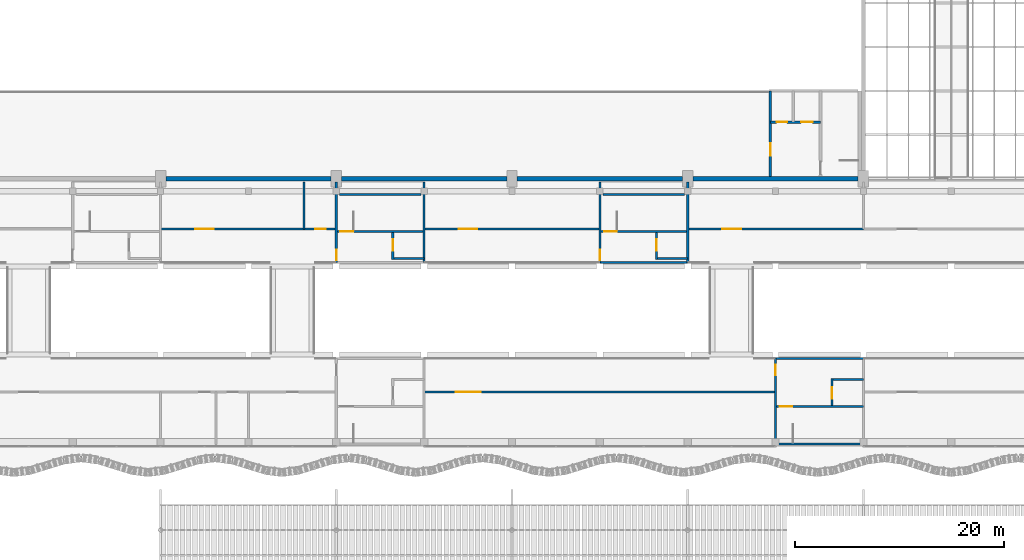
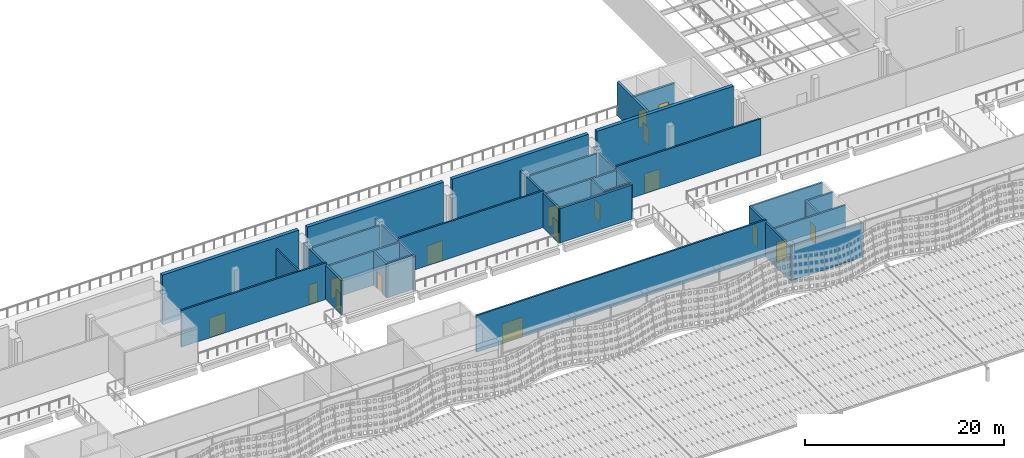
# One storey, part 83 of 162: 30 walls, 17 doors, 17 openings.
"""IFC4 building model written with IfcOpenShell, lengths in metres."""

from ifc_helpers import new_model, si_unit, direction, frame, frame_2d, origin, place, context, subcontext, project, spatial, rectangle, extrude, material, layer, layer_set, type_object, element, fill, save


model = new_model("IFC4")

# Units and contexts
model_context = context("Model", 3, precision=1e-05, world=origin(), true_north=direction((0.0, 1.0)))
body_context = subcontext(model_context, "Body", "Model", "MODEL_VIEW")
ifc_project = project(units=[si_unit("LENGTHUNIT", "METRE"), si_unit("AREAUNIT", "SQUARE_METRE"), si_unit("VOLUMEUNIT", "CUBIC_METRE"), si_unit("PLANEANGLEUNIT", "RADIAN"), si_unit("MASSUNIT", "GRAM", prefix="KILO")], contexts=[model_context])

# Site, building, storey
site_placement = place(None, origin())
site = spatial("IfcSite", under=ifc_project, at=site_placement, CompositionType="ELEMENT")
building_placement = place(site_placement, origin())
building = spatial("IfcBuilding", under=site, at=building_placement, Name="Rain Tree Exposition and Congress Centre", CompositionType="ELEMENT")
storey_placement = place(building_placement, frame((0.0, 0.0, 6.0)))
storey = spatial("IfcBuildingStorey", under=building, at=storey_placement, Name="L01", CompositionType="ELEMENT", Elevation=6.0)

# Wall, opening, door
ifc_material_1 = material(Name="Hollow blockwork partition", Category="masonry")
ifc_layer_1 = layer(ifc_material_1, 0.199951171875)
ifc_layer_set_1 = layer_set([ifc_layer_1], Name="Hollow blockwork partition")
wall_type_1 = type_object("IfcWallType", Name="Concourse blockwork partition 200", PredefinedType="PARTITIONING", material=ifc_layer_set_1)
wall_1_placement = place(storey_placement, frame((84.0, 80.39990234375, 0.0), z_axis=(0.0, 0.0, 1.0), x_axis=(1.0, 0.0, 0.0)))
wall_1 = element("IfcWall", 1, at=wall_1_placement, inside=storey, type_object=wall_type_1, Name="Concourse room front L01", PredefinedType="PARTITIONING", context=body_context, shape_type="SweptSolid", body=[
    extrude(rectangle(XDim=33.60009765625, YDim=0.199951171875, at=frame_2d((16.800048828125, 0.0))), origin(), (0.0, 0.0, 1.0), 4.5),
])
opening_1_placement = place(wall_1_placement, frame((3.0, 0.0, 0.0)))
opening_1 = element("IfcOpeningElement", 2, at=opening_1_placement, cuts=wall_1, Name="Opening DC050", PredefinedType="OPENING", context=body_context, shape_type="SweptSolid", body=[
    extrude(rectangle(XDim=2.39990234375, YDim=2.39990234375, at=frame_2d((1.199951171875, 1.199951171875))), frame((0.0, 0.10009765625, 0.0), z_axis=(0.0, -1.0, 0.0), x_axis=(1.0, 0.0, 0.0)), (0.0, 0.0, 1.0), 0.199951171875),
])
ifc_material_2 = material(Name="Aluminium framed glazed door", Category="aluminium")
door_type_1 = type_object("IfcDoorType", Name="Concourse double door 2400x2400", OperationType="DOUBLE_DOOR_DOUBLE_SWING", PredefinedType="DOOR", material=ifc_material_2)
door_1_placement = place(opening_1_placement, origin())
door_1 = element("IfcDoor", 3, at=door_1_placement, inside=storey, type_object=door_type_1, Name="Room door DC050", OperationType="DOUBLE_DOOR_DOUBLE_SWING", OverallHeight=2.39990234375, OverallWidth=2.39990234375, PredefinedType="DOOR", context=body_context, shape_type="SweptSolid", body=[
    extrude(rectangle(XDim=2.39990234375, YDim=2.39990234375, at=frame_2d((1.199951171875, 1.199951171875))), frame((0.0, 0.02490234375, 0.0), z_axis=(0.0, -1.0, 0.0), x_axis=(1.0, 0.0, 0.0)), (0.0, 0.0, 1.0), 0.050048828125),
])
fill(opening_1, door_1)

# Wall, openings, doors
wall_2_placement = place(storey_placement, frame((58.800048828125, 96.0, 0.0), z_axis=(0.0, 0.0, 1.0), x_axis=(1.0, 0.0, 0.0)))
wall_2 = element("IfcWall", 4, at=wall_2_placement, inside=storey, type_object=wall_type_1, Name="Concourse room front L01", PredefinedType="PARTITIONING", context=body_context, shape_type="SweptSolid", body=[
    extrude(rectangle(XDim=16.800048828125, YDim=0.199951171875, at=frame_2d((8.39990234375, 0.0))), origin(), (0.0, 0.0, 1.0), 4.5),
])
opening_2_placement = place(wall_2_placement, frame((3.300048828125, 0.0, 0.0)))
opening_2 = element("IfcOpeningElement", 5, at=opening_2_placement, cuts=wall_2, Name="Opening DC083", PredefinedType="OPENING", context=body_context, shape_type="SweptSolid", body=[
    extrude(rectangle(XDim=1.800048828125, YDim=2.39990234375, at=frame_2d((0.89990234375, 1.199951171875))), frame((0.0, 0.10009765625, 0.0), z_axis=(0.0, -1.0, 0.0), x_axis=(1.0, 0.0, 0.0)), (0.0, 0.0, 1.0), 0.199951171875),
])
opening_3_placement = place(wall_2_placement, frame((14.800048828125, 0.0, 0.0)))
opening_3 = element("IfcOpeningElement", 6, at=opening_3_placement, cuts=wall_2, Name="Opening DC084", PredefinedType="OPENING", context=body_context, shape_type="SweptSolid", body=[
    extrude(rectangle(XDim=1.0, YDim=2.39990234375, at=frame_2d((0.5, 1.199951171875))), frame((0.0, 0.10009765625, 0.0), z_axis=(0.0, -1.0, 0.0), x_axis=(1.0, 0.0, 0.0)), (0.0, 0.0, 1.0), 0.199951171875),
])
ifc_material_3 = material(Name="Aluminium framed glazed door", Category="aluminium")
door_type_2 = type_object("IfcDoorType", Name="Concourse double door 1800x2400", OperationType="DOUBLE_DOOR_DOUBLE_SWING", PredefinedType="DOOR", material=ifc_material_3)
door_2_placement = place(opening_2_placement, origin())
door_2 = element("IfcDoor", 7, at=door_2_placement, inside=storey, type_object=door_type_2, Name="Room door DC083", OperationType="DOUBLE_DOOR_DOUBLE_SWING", OverallHeight=2.39990234375, OverallWidth=1.800048828125, PredefinedType="DOOR", context=body_context, shape_type="SweptSolid", body=[
    extrude(rectangle(XDim=1.800048828125, YDim=2.39990234375, at=frame_2d((0.89990234375, 1.199951171875))), frame((0.0, 0.02490234375, 0.0), z_axis=(0.0, -1.0, 0.0), x_axis=(1.0, 0.0, 0.0)), (0.0, 0.0, 1.0), 0.050048828125),
])
fill(opening_2, door_2)
ifc_material_4 = material(Name="Aluminium framed glazed door", Category="aluminium")
door_type_3 = type_object("IfcDoorType", Name="Concourse single door 1000x2400", OperationType="NOTDEFINED", PredefinedType="DOOR", material=ifc_material_4)
door_3_placement = place(opening_3_placement, origin())
door_3 = element("IfcDoor", 8, at=door_3_placement, inside=storey, type_object=door_type_3, Name="Accessible WC door DC084", OperationType="SINGLE_SWING_RIGHT", OverallHeight=2.39990234375, OverallWidth=1.0, PredefinedType="DOOR", context=body_context, shape_type="SweptSolid", body=[
    extrude(rectangle(XDim=1.0, YDim=2.39990234375, at=frame_2d((0.5, 1.199951171875))), frame((0.0, 0.02490234375, 0.0), z_axis=(0.0, -1.0, 0.0), x_axis=(1.0, 0.0, 0.0)), (0.0, 0.0, 1.0), 0.050048828125),
])
fill(opening_3, door_3)

# Wall
wall_3_placement = place(storey_placement, frame((72.5, 100.5, 0.0), z_axis=(0.0, 0.0, 1.0), x_axis=(0.0, -1.0, 0.0)))
element("IfcWall", 9, at=wall_3_placement, inside=storey, type_object=wall_type_1, Name="Accessible WC partition", PredefinedType="PARTITIONING", context=body_context, shape_type="SweptSolid", body=[
    extrude(rectangle(XDim=4.5, YDim=0.199951171875, at=frame_2d((2.25, 0.0))), origin(), (0.0, 0.0, 1.0), 4.5),
])

# Wall, opening, door
wall_4_placement = place(storey_placement, frame((84.0, 96.0, 0.0), z_axis=(0.0, 0.0, 1.0), x_axis=(1.0, 0.0, 0.0)))
wall_4 = element("IfcWall", 10, at=wall_4_placement, inside=storey, type_object=wall_type_1, Name="Concourse room front L01", PredefinedType="PARTITIONING", context=body_context, shape_type="SweptSolid", body=[
    extrude(rectangle(XDim=16.800048828125, YDim=0.199951171875, at=frame_2d((8.39990234375, 0.0))), origin(), (0.0, 0.0, 1.0), 4.5),
])
opening_4_placement = place(wall_4_placement, frame((3.300048828125, 0.0, 0.0)))
opening_4 = element("IfcOpeningElement", 11, at=opening_4_placement, cuts=wall_4, Name="Opening DC085", PredefinedType="OPENING", context=body_context, shape_type="SweptSolid", body=[
    extrude(rectangle(XDim=1.800048828125, YDim=2.39990234375, at=frame_2d((0.89990234375, 1.199951171875))), frame((0.0, 0.10009765625, 0.0), z_axis=(0.0, -1.0, 0.0), x_axis=(1.0, 0.0, 0.0)), (0.0, 0.0, 1.0), 0.199951171875),
])
door_4_placement = place(opening_4_placement, origin())
door_4 = element("IfcDoor", 12, at=door_4_placement, inside=storey, type_object=door_type_2, Name="Room door DC085", OperationType="DOUBLE_DOOR_DOUBLE_SWING", OverallHeight=2.39990234375, OverallWidth=1.800048828125, PredefinedType="DOOR", context=body_context, shape_type="SweptSolid", body=[
    extrude(rectangle(XDim=1.800048828125, YDim=2.39990234375, at=frame_2d((0.89990234375, 1.199951171875))), frame((0.0, 0.02490234375, 0.0), z_axis=(0.0, -1.0, 0.0), x_axis=(1.0, 0.0, 0.0)), (0.0, 0.0, 1.0), 0.050048828125),
])
fill(opening_4, door_4)

wall_5_placement = place(storey_placement, frame((109.199951171875, 96.0, 0.0), z_axis=(0.0, 0.0, 1.0), x_axis=(1.0, 0.0, 0.0)))
wall_5 = element("IfcWall", 13, at=wall_5_placement, inside=storey, type_object=wall_type_1, Name="Concourse room front L01", PredefinedType="PARTITIONING", context=body_context, shape_type="SweptSolid", body=[
    extrude(rectangle(XDim=16.800048828125, YDim=0.199951171875, at=frame_2d((8.39990234375, 0.0))), origin(), (0.0, 0.0, 1.0), 4.5),
])
opening_5_placement = place(wall_5_placement, frame((3.300048828125, 0.0, 0.0)))
opening_5 = element("IfcOpeningElement", 14, at=opening_5_placement, cuts=wall_5, Name="Opening DC086", PredefinedType="OPENING", context=body_context, shape_type="SweptSolid", body=[
    extrude(rectangle(XDim=1.800048828125, YDim=2.39990234375, at=frame_2d((0.89990234375, 1.199951171875))), frame((0.0, 0.10009765625, 0.0), z_axis=(0.0, -1.0, 0.0), x_axis=(1.0, 0.0, 0.0)), (0.0, 0.0, 1.0), 0.199951171875),
])
door_5_placement = place(opening_5_placement, origin())
door_5 = element("IfcDoor", 15, at=door_5_placement, inside=storey, type_object=door_type_2, Name="Room door DC086", OperationType="DOUBLE_DOOR_DOUBLE_SWING", OverallHeight=2.39990234375, OverallWidth=1.800048828125, PredefinedType="DOOR", context=body_context, shape_type="SweptSolid", body=[
    extrude(rectangle(XDim=1.800048828125, YDim=2.39990234375, at=frame_2d((0.89990234375, 1.199951171875))), frame((0.0, 0.02490234375, 0.0), z_axis=(0.0, -1.0, 0.0), x_axis=(1.0, 0.0, 0.0)), (0.0, 0.0, 1.0), 0.050048828125),
])
fill(opening_5, door_5)

ifc_material_5 = material(Name="Concrete C40/50", Category="concrete")
ifc_layer_2 = layer(ifc_material_5, 0.199951171875)
ifc_layer_set_2 = layer_set([ifc_layer_2], Name="Concrete C40/50")
wall_type_2 = type_object("IfcWallType", Name="Concourse shaft and core wall 200", PredefinedType="SOLIDWALL", material=ifc_layer_set_2)
wall_6_placement = place(storey_placement, frame((117.60009765625, 75.39990234375, 0.0), z_axis=(0.0, 0.0, 1.0), x_axis=(0.0, 1.0, 0.0)))
wall_6 = element("IfcWall", 16, at=wall_6_placement, inside=storey, type_object=wall_type_2, Name="Concourse core wall L01", PredefinedType="SOLIDWALL", context=body_context, shape_type="SweptSolid", body=[
    extrude(rectangle(XDim=8.2001953125, YDim=0.199951171875, at=frame_2d((4.10009765625, 0.0))), origin(), (0.0, 0.0, 1.0), 4.199951171875),
])
opening_6_placement = place(wall_6_placement, frame((6.60009765625, 0.0, 0.0)))
opening_6 = element("IfcOpeningElement", 17, at=opening_6_placement, cuts=wall_6, Name="Opening DC040", PredefinedType="OPENING", context=body_context, shape_type="SweptSolid", body=[
    extrude(rectangle(XDim=1.0, YDim=2.39990234375, at=frame_2d((0.5, 1.199951171875))), frame((0.0, 0.10009765625, 0.0), z_axis=(0.0, -1.0, 0.0), x_axis=(1.0, 0.0, 0.0)), (0.0, 0.0, 1.0), 0.199951171875),
])
door_6_placement = place(opening_6_placement, origin())
door_6 = element("IfcDoor", 18, at=door_6_placement, inside=storey, type_object=door_type_3, Name="Stair lobby door DC040", OperationType="SINGLE_SWING_RIGHT", OverallHeight=2.39990234375, OverallWidth=1.0, PredefinedType="DOOR", context=body_context, shape_type="SweptSolid", body=[
    extrude(rectangle(XDim=1.0, YDim=2.39990234375, at=frame_2d((0.5, 1.199951171875))), frame((0.0, 0.02490234375, 0.0), z_axis=(0.0, -1.0, 0.0), x_axis=(1.0, 0.0, 0.0)), (0.0, 0.0, 1.0), 0.050048828125),
])
fill(opening_6, door_6)

# Wall
wall_7_placement = place(storey_placement, frame((117.60009765625, 83.60009765625, 0.0), z_axis=(0.0, 0.0, 1.0), x_axis=(1.0, 0.0, 0.0)))
element("IfcWall", 19, at=wall_7_placement, inside=storey, type_object=wall_type_2, Name="Concourse lobby front L01", PredefinedType="SOLIDWALL", context=body_context, shape_type="SweptSolid", body=[
    extrude(rectangle(XDim=8.39990234375, YDim=0.199951171875, at=frame_2d((4.199951171875, 0.0))), origin(), (0.0, 0.0, 1.0), 4.199951171875),
])

# Wall, opening, door
wall_8_placement = place(storey_placement, frame((75.60009765625, 100.5, 0.0), z_axis=(0.0, 0.0, 1.0), x_axis=(0.0, -1.0, 0.0)))
wall_8 = element("IfcWall", 20, at=wall_8_placement, inside=storey, type_object=wall_type_2, Name="Concourse core wall L01", PredefinedType="SOLIDWALL", context=body_context, shape_type="SweptSolid", body=[
    extrude(rectangle(XDim=7.699951171875, YDim=0.199951171875, at=frame_2d((3.85009765625, 0.0))), origin(), (0.0, 0.0, 1.0), 4.199951171875),
])
opening_7_placement = place(wall_8_placement, frame((6.5, 0.0, 0.0)))
opening_7 = element("IfcOpeningElement", 21, at=opening_7_placement, cuts=wall_8, Name="Opening DC077", PredefinedType="OPENING", context=body_context, shape_type="SweptSolid", body=[
    extrude(rectangle(XDim=1.0, YDim=2.39990234375, at=frame_2d((0.5, 1.199951171875))), frame((0.0, 0.10009765625, 0.0), z_axis=(0.0, -1.0, 0.0), x_axis=(1.0, 0.0, 0.0)), (0.0, 0.0, 1.0), 0.199951171875),
])
door_7_placement = place(opening_7_placement, origin())
door_7 = element("IfcDoor", 22, at=door_7_placement, inside=storey, type_object=door_type_3, Name="Stair lobby door DC077", OperationType="SINGLE_SWING_RIGHT", OverallHeight=2.39990234375, OverallWidth=1.0, PredefinedType="DOOR", context=body_context, shape_type="SweptSolid", body=[
    extrude(rectangle(XDim=1.0, YDim=2.39990234375, at=frame_2d((0.5, 1.199951171875))), frame((0.0, 0.02490234375, 0.0), z_axis=(0.0, -1.0, 0.0), x_axis=(1.0, 0.0, 0.0)), (0.0, 0.0, 1.0), 0.050048828125),
])
fill(opening_7, door_7)

# Wall
wall_9_placement = place(storey_placement, frame((84.0, 100.5, 0.0), z_axis=(0.0, 0.0, 1.0), x_axis=(0.0, -1.0, 0.0)))
element("IfcWall", 23, at=wall_9_placement, inside=storey, type_object=wall_type_2, Name="Concourse core wall L01", PredefinedType="SOLIDWALL", context=body_context, shape_type="SweptSolid", body=[
    extrude(rectangle(XDim=7.699951171875, YDim=0.199951171875, at=frame_2d((3.85009765625, 0.0))), origin(), (0.0, 0.0, 1.0), 4.199951171875),
])

# Wall, opening, door
wall_10_placement = place(storey_placement, frame((100.800048828125, 100.5, 0.0), z_axis=(0.0, 0.0, 1.0), x_axis=(0.0, -1.0, 0.0)))
wall_10 = element("IfcWall", 24, at=wall_10_placement, inside=storey, type_object=wall_type_2, Name="Concourse core wall L01", PredefinedType="SOLIDWALL", context=body_context, shape_type="SweptSolid", body=[
    extrude(rectangle(XDim=7.699951171875, YDim=0.199951171875, at=frame_2d((3.85009765625, 0.0))), origin(), (0.0, 0.0, 1.0), 4.199951171875),
])
opening_8_placement = place(wall_10_placement, frame((6.5, 0.0, 0.0)))
opening_8 = element("IfcOpeningElement", 25, at=opening_8_placement, cuts=wall_10, Name="Opening DC078", PredefinedType="OPENING", context=body_context, shape_type="SweptSolid", body=[
    extrude(rectangle(XDim=1.0, YDim=2.39990234375, at=frame_2d((0.5, 1.199951171875))), frame((0.0, 0.10009765625, 0.0), z_axis=(0.0, -1.0, 0.0), x_axis=(1.0, 0.0, 0.0)), (0.0, 0.0, 1.0), 0.199951171875),
])
door_8_placement = place(opening_8_placement, origin())
door_8 = element("IfcDoor", 26, at=door_8_placement, inside=storey, type_object=door_type_3, Name="Stair lobby door DC078", OperationType="SINGLE_SWING_RIGHT", OverallHeight=2.39990234375, OverallWidth=1.0, PredefinedType="DOOR", context=body_context, shape_type="SweptSolid", body=[
    extrude(rectangle(XDim=1.0, YDim=2.39990234375, at=frame_2d((0.5, 1.199951171875))), frame((0.0, 0.02490234375, 0.0), z_axis=(0.0, -1.0, 0.0), x_axis=(1.0, 0.0, 0.0)), (0.0, 0.0, 1.0), 0.050048828125),
])
fill(opening_8, door_8)

# Walls
wall_11_placement = place(storey_placement, frame((109.199951171875, 100.5, 0.0), z_axis=(0.0, 0.0, 1.0), x_axis=(0.0, -1.0, 0.0)))
element("IfcWall", 27, at=wall_11_placement, inside=storey, type_object=wall_type_2, Name="Concourse core wall L01", PredefinedType="SOLIDWALL", context=body_context, shape_type="SweptSolid", body=[
    extrude(rectangle(XDim=7.699951171875, YDim=0.199951171875, at=frame_2d((3.85009765625, 0.0))), origin(), (0.0, 0.0, 1.0), 4.199951171875),
])
for number, where, z_axis, x_axis, name in (
    (28, (100.800048828125, 92.800048828125, 0.0), (0.0, 0.0, 1.0), (1.0, 0.0, 0.0), "Concourse lobby front L01"),
    (29, (117.60009765625, 75.449951171875, 0.0), (0.0, 0.0, 1.0), (1.0, 0.0, 0.0), "Concourse stair wall L01"),
):
    element("IfcWall", number, at=place(storey_placement, frame(where, z_axis=z_axis, x_axis=x_axis)), inside=storey, type_object=wall_type_2, Name=name, PredefinedType="SOLIDWALL", context=body_context, shape_type="SweptSolid", body=[
        extrude(rectangle(XDim=8.39990234375, YDim=0.199951171875, at=frame_2d((4.199951171875, 0.0))), origin(), (0.0, 0.0, 1.0), 4.199951171875),
    ])

# Wall, opening, door
wall_12_placement = place(storey_placement, frame((117.60009765625, 79.0, 0.0), z_axis=(0.0, 0.0, 1.0), x_axis=(1.0, 0.0, 0.0)))
wall_12 = element("IfcWall", 30, at=wall_12_placement, inside=storey, type_object=wall_type_2, Name="Concourse stair wall L01", PredefinedType="SOLIDWALL", context=body_context, shape_type="SweptSolid", body=[
    extrude(rectangle(XDim=8.39990234375, YDim=0.199951171875, at=frame_2d((4.199951171875, 0.0))), origin(), (0.0, 0.0, 1.0), 4.199951171875),
])
opening_9_placement = place(wall_12_placement, frame((0.39990234375, 0.0, 0.0)))
opening_9 = element("IfcOpeningElement", 31, at=opening_9_placement, cuts=wall_12, Name="Opening DC104", PredefinedType="OPENING", context=body_context, shape_type="SweptSolid", body=[
    extrude(rectangle(XDim=1.199951171875, YDim=2.39990234375, at=frame_2d((0.60009765625, 1.199951171875))), frame((0.0, 0.10009765625, 0.0), z_axis=(0.0, -1.0, 0.0), x_axis=(1.0, 0.0, 0.0)), (0.0, 0.0, 1.0), 0.199951171875),
])
ifc_material_6 = material(Name="Aluminium framed glazed door", Category="aluminium")
door_type_4 = type_object("IfcDoorType", Name="Concourse single door 1200x2400", OperationType="NOTDEFINED", PredefinedType="DOOR", material=ifc_material_6)
door_9_placement = place(opening_9_placement, origin())
door_9 = element("IfcDoor", 32, at=door_9_placement, inside=storey, type_object=door_type_4, Name="Stair door DC104", OperationType="SINGLE_SWING_LEFT", OverallHeight=2.39990234375, OverallWidth=1.199951171875, PredefinedType="DOOR", context=body_context, shape_type="SweptSolid", body=[
    extrude(rectangle(XDim=1.199951171875, YDim=2.39990234375, at=frame_2d((0.60009765625, 1.199951171875))), frame((0.0, 0.02490234375, 0.0), z_axis=(0.0, -1.0, 0.0), x_axis=(1.0, 0.0, 0.0)), (0.0, 0.0, 1.0), 0.050048828125),
])
fill(opening_9, door_9)

wall_13_placement = place(storey_placement, frame((123.0, 79.10009765625, 0.0), z_axis=(0.0, 0.0, 1.0), x_axis=(0.0, 1.0, 0.0)))
wall_13 = element("IfcWall", 33, at=wall_13_placement, inside=storey, type_object=wall_type_2, Name="Concourse lift shaft wall L01", PredefinedType="SOLIDWALL", context=body_context, shape_type="SweptSolid", body=[
    extrude(rectangle(XDim=2.599853515625, YDim=0.199951171875, at=frame_2d((1.2998046875, 0.0))), origin(), (0.0, 0.0, 1.0), 4.199951171875),
])
opening_10_placement = place(wall_13_placement, frame((0.64990234375, 0.0, 0.0)))
opening_10 = element("IfcOpeningElement", 34, at=opening_10_placement, cuts=wall_13, Name="Opening DC106", PredefinedType="OPENING", context=body_context, shape_type="SweptSolid", body=[
    extrude(rectangle(XDim=1.10009765625, YDim=2.10009765625, at=frame_2d((0.550048828125, 1.050048828125))), frame((0.0, 0.10009765625, 0.0), z_axis=(0.0, -1.0, 0.0), x_axis=(1.0, 0.0, 0.0)), (0.0, 0.0, 1.0), 0.199951171875),
])
ifc_material_7 = material(Name="Stainless steel", Category="steel")
door_type_5 = type_object("IfcDoorType", Name="Lift landing door 1100x2100", OperationType="DOUBLE_DOOR_SLIDING", PredefinedType="DOOR", material=ifc_material_7)
door_10_placement = place(opening_10_placement, origin())
door_10 = element("IfcDoor", 35, at=door_10_placement, inside=storey, type_object=door_type_5, Name="Lift landing door DC106", OperationType="DOUBLE_DOOR_SLIDING", OverallHeight=2.10009765625, OverallWidth=1.10009765625, PredefinedType="DOOR", context=body_context, shape_type="SweptSolid", body=[
    extrude(rectangle(XDim=1.10009765625, YDim=2.10009765625, at=frame_2d((0.550048828125, 1.050048828125))), frame((0.0, 0.02490234375, 0.0), z_axis=(0.0, -1.0, 0.0), x_axis=(1.0, 0.0, 0.0)), (0.0, 0.0, 1.0), 0.050048828125),
])
fill(opening_10, door_10)

# Walls
wall_14_placement = place(storey_placement, frame((122.89990234375, 81.60009765625, 0.0), z_axis=(0.0, 0.0, 1.0), x_axis=(1.0, 0.0, 0.0)))
element("IfcWall", 36, at=wall_14_placement, inside=storey, type_object=wall_type_2, Name="Concourse lift shaft wall L01", PredefinedType="SOLIDWALL", context=body_context, shape_type="SweptSolid", body=[
    extrude(rectangle(XDim=3.10009765625, YDim=0.199951171875, at=frame_2d((1.550048828125, 0.0))), origin(), (0.0, 0.0, 1.0), 4.199951171875),
])
wall_15_placement = place(storey_placement, frame((75.89990234375, 99.300048828125, 0.0), z_axis=(0.0, 0.0, 1.0), x_axis=(1.0, 0.0, 0.0)))
element("IfcWall", 37, at=wall_15_placement, inside=storey, type_object=wall_type_2, Name="Concourse stair wall L01", PredefinedType="SOLIDWALL", context=body_context, shape_type="SweptSolid", body=[
    extrude(rectangle(XDim=7.800048828125, YDim=0.199951171875, at=frame_2d((3.89990234375, 0.0))), origin(), (0.0, 0.0, 1.0), 4.199951171875),
])

# Wall, opening, door
wall_16_placement = place(storey_placement, frame((75.60009765625, 95.75, 0.0), z_axis=(0.0, 0.0, 1.0), x_axis=(1.0, 0.0, 0.0)))
wall_16 = element("IfcWall", 38, at=wall_16_placement, inside=storey, type_object=wall_type_2, Name="Concourse stair wall L01", PredefinedType="SOLIDWALL", context=body_context, shape_type="SweptSolid", body=[
    extrude(rectangle(XDim=8.39990234375, YDim=0.199951171875, at=frame_2d((4.199951171875, 0.0))), origin(), (0.0, 0.0, 1.0), 4.199951171875),
])
opening_11_placement = place(wall_16_placement, frame((0.39990234375, 0.0, 0.0)))
opening_11 = element("IfcOpeningElement", 39, at=opening_11_placement, cuts=wall_16, Name="Opening DC131", PredefinedType="OPENING", context=body_context, shape_type="SweptSolid", body=[
    extrude(rectangle(XDim=1.199951171875, YDim=2.39990234375, at=frame_2d((0.60009765625, 1.199951171875))), frame((0.0, 0.10009765625, 0.0), z_axis=(0.0, -1.0, 0.0), x_axis=(1.0, 0.0, 0.0)), (0.0, 0.0, 1.0), 0.199951171875),
])
door_11_placement = place(opening_11_placement, origin())
door_11 = element("IfcDoor", 40, at=door_11_placement, inside=storey, type_object=door_type_4, Name="Stair door DC131", OperationType="SINGLE_SWING_LEFT", OverallHeight=2.39990234375, OverallWidth=1.199951171875, PredefinedType="DOOR", context=body_context, shape_type="SweptSolid", body=[
    extrude(rectangle(XDim=1.199951171875, YDim=2.39990234375, at=frame_2d((0.60009765625, 1.199951171875))), frame((0.0, 0.02490234375, 0.0), z_axis=(0.0, -1.0, 0.0), x_axis=(1.0, 0.0, 0.0)), (0.0, 0.0, 1.0), 0.050048828125),
])
fill(opening_11, door_11)

wall_17_placement = place(storey_placement, frame((81.0, 93.050048828125, 0.0), z_axis=(0.0, 0.0, 1.0), x_axis=(0.0, 1.0, 0.0)))
wall_17 = element("IfcWall", 41, at=wall_17_placement, inside=storey, type_object=wall_type_2, Name="Concourse lift shaft wall L01", PredefinedType="SOLIDWALL", context=body_context, shape_type="SweptSolid", body=[
    extrude(rectangle(XDim=2.599853515625, YDim=0.199951171875, at=frame_2d((1.2998046875, 0.0))), origin(), (0.0, 0.0, 1.0), 4.199951171875),
])
opening_12_placement = place(wall_17_placement, frame((0.85009765625, 0.0, 0.0)))
opening_12 = element("IfcOpeningElement", 42, at=opening_12_placement, cuts=wall_17, Name="Opening DC133", PredefinedType="OPENING", context=body_context, shape_type="SweptSolid", body=[
    extrude(rectangle(XDim=1.10009765625, YDim=2.10009765625, at=frame_2d((0.550048828125, 1.050048828125))), frame((0.0, 0.10009765625, 0.0), z_axis=(0.0, -1.0, 0.0), x_axis=(1.0, 0.0, 0.0)), (0.0, 0.0, 1.0), 0.199951171875),
])
door_12_placement = place(opening_12_placement, origin())
door_12 = element("IfcDoor", 43, at=door_12_placement, inside=storey, type_object=door_type_5, Name="Lift landing door DC133", OperationType="DOUBLE_DOOR_SLIDING", OverallHeight=2.10009765625, OverallWidth=1.10009765625, PredefinedType="DOOR", context=body_context, shape_type="SweptSolid", body=[
    extrude(rectangle(XDim=1.10009765625, YDim=2.10009765625, at=frame_2d((0.550048828125, 1.050048828125))), frame((0.0, 0.02490234375, 0.0), z_axis=(0.0, -1.0, 0.0), x_axis=(1.0, 0.0, 0.0)), (0.0, 0.0, 1.0), 0.050048828125),
])
fill(opening_12, door_12)

# Walls
wall_18_placement = place(storey_placement, frame((80.89990234375, 93.14990234375, 0.0), z_axis=(0.0, 0.0, 1.0), x_axis=(1.0, 0.0, 0.0)))
element("IfcWall", 44, at=wall_18_placement, inside=storey, type_object=wall_type_2, Name="Concourse lift shaft wall L01", PredefinedType="SOLIDWALL", context=body_context, shape_type="SweptSolid", body=[
    extrude(rectangle(XDim=3.10009765625, YDim=0.199951171875, at=frame_2d((1.550048828125, 0.0))), origin(), (0.0, 0.0, 1.0), 4.199951171875),
])
wall_19_placement = place(storey_placement, frame((101.10009765625, 99.300048828125, 0.0), z_axis=(0.0, 0.0, 1.0), x_axis=(1.0, 0.0, 0.0)))
element("IfcWall", 45, at=wall_19_placement, inside=storey, type_object=wall_type_2, Name="Concourse stair wall L01", PredefinedType="SOLIDWALL", context=body_context, shape_type="SweptSolid", body=[
    extrude(rectangle(XDim=7.7998046875, YDim=0.199951171875, at=frame_2d((3.89990234375, 0.0))), origin(), (0.0, 0.0, 1.0), 4.199951171875),
])

# Wall, opening, door
wall_20_placement = place(storey_placement, frame((100.800048828125, 95.75, 0.0), z_axis=(0.0, 0.0, 1.0), x_axis=(1.0, 0.0, 0.0)))
wall_20 = element("IfcWall", 46, at=wall_20_placement, inside=storey, type_object=wall_type_2, Name="Concourse stair wall L01", PredefinedType="SOLIDWALL", context=body_context, shape_type="SweptSolid", body=[
    extrude(rectangle(XDim=8.39990234375, YDim=0.199951171875, at=frame_2d((4.199951171875, 0.0))), origin(), (0.0, 0.0, 1.0), 4.199951171875),
])
opening_13_placement = place(wall_20_placement, frame((0.39990234375, 0.0, 0.0)))
opening_13 = element("IfcOpeningElement", 47, at=opening_13_placement, cuts=wall_20, Name="Opening DC135", PredefinedType="OPENING", context=body_context, shape_type="SweptSolid", body=[
    extrude(rectangle(XDim=1.199951171875, YDim=2.39990234375, at=frame_2d((0.60009765625, 1.199951171875))), frame((0.0, 0.10009765625, 0.0), z_axis=(0.0, -1.0, 0.0), x_axis=(1.0, 0.0, 0.0)), (0.0, 0.0, 1.0), 0.199951171875),
])
door_13_placement = place(opening_13_placement, origin())
door_13 = element("IfcDoor", 48, at=door_13_placement, inside=storey, type_object=door_type_4, Name="Stair door DC135", OperationType="SINGLE_SWING_LEFT", OverallHeight=2.39990234375, OverallWidth=1.199951171875, PredefinedType="DOOR", context=body_context, shape_type="SweptSolid", body=[
    extrude(rectangle(XDim=1.199951171875, YDim=2.39990234375, at=frame_2d((0.60009765625, 1.199951171875))), frame((0.0, 0.02490234375, 0.0), z_axis=(0.0, -1.0, 0.0), x_axis=(1.0, 0.0, 0.0)), (0.0, 0.0, 1.0), 0.050048828125),
])
fill(opening_13, door_13)

wall_21_placement = place(storey_placement, frame((106.199951171875, 93.050048828125, 0.0), z_axis=(0.0, 0.0, 1.0), x_axis=(0.0, 1.0, 0.0)))
wall_21 = element("IfcWall", 49, at=wall_21_placement, inside=storey, type_object=wall_type_2, Name="Concourse lift shaft wall L01", PredefinedType="SOLIDWALL", context=body_context, shape_type="SweptSolid", body=[
    extrude(rectangle(XDim=2.599853515625, YDim=0.199951171875, at=frame_2d((1.2998046875, 0.0))), origin(), (0.0, 0.0, 1.0), 4.199951171875),
])
opening_14_placement = place(wall_21_placement, frame((0.85009765625, 0.0, 0.0)))
opening_14 = element("IfcOpeningElement", 50, at=opening_14_placement, cuts=wall_21, Name="Opening DC137", PredefinedType="OPENING", context=body_context, shape_type="SweptSolid", body=[
    extrude(rectangle(XDim=1.10009765625, YDim=2.10009765625, at=frame_2d((0.550048828125, 1.050048828125))), frame((0.0, 0.10009765625, 0.0), z_axis=(0.0, -1.0, 0.0), x_axis=(1.0, 0.0, 0.0)), (0.0, 0.0, 1.0), 0.199951171875),
])
door_14_placement = place(opening_14_placement, origin())
door_14 = element("IfcDoor", 51, at=door_14_placement, inside=storey, type_object=door_type_5, Name="Lift landing door DC137", OperationType="DOUBLE_DOOR_SLIDING", OverallHeight=2.10009765625, OverallWidth=1.10009765625, PredefinedType="DOOR", context=body_context, shape_type="SweptSolid", body=[
    extrude(rectangle(XDim=1.10009765625, YDim=2.10009765625, at=frame_2d((0.550048828125, 1.050048828125))), frame((0.0, 0.02490234375, 0.0), z_axis=(0.0, -1.0, 0.0), x_axis=(1.0, 0.0, 0.0)), (0.0, 0.0, 1.0), 0.050048828125),
])
fill(opening_14, door_14)

# Wall
wall_22_placement = place(storey_placement, frame((106.10009765625, 93.14990234375, 0.0), z_axis=(0.0, 0.0, 1.0), x_axis=(1.0, 0.0, 0.0)))
element("IfcWall", 52, at=wall_22_placement, inside=storey, type_object=wall_type_2, Name="Concourse lift shaft wall L01", PredefinedType="SOLIDWALL", context=body_context, shape_type="SweptSolid", body=[
    extrude(rectangle(XDim=3.099853515625, YDim=0.199951171875, at=frame_2d((1.5498046875, 0.0))), origin(), (0.0, 0.0, 1.0), 4.199951171875),
])

# Wall, opening, door
ifc_material_8 = material(Name="Concrete C40/50", Category="concrete")
ifc_layer_3 = layer(ifc_material_8, 0.25)
ifc_layer_set_3 = layer_set([ifc_layer_3], Name="Concrete C40/50")
wall_type_3 = type_object("IfcWallType", Name="Core wall 250", PredefinedType="SHEAR", material=ifc_layer_set_3)
wall_23_placement = place(storey_placement, frame((117.10009765625, 101.0, 0.0), z_axis=(0.0, 0.0, 1.0), x_axis=(0.0, 1.0, 0.0)))
wall_23 = element("IfcWall", 53, at=wall_23_placement, inside=storey, type_object=wall_type_3, Name="Core east wall 2", PredefinedType="SHEAR", context=body_context, shape_type="SweptSolid", body=[
    extrude(rectangle(XDim=8.199951171875, YDim=0.25, at=frame_2d((4.10009765625, 0.0))), origin(), (0.0, 0.0, 1.0), 4.10009765625),
])
opening_15_placement = place(wall_23_placement, frame((2.0, 0.0, 0.0)))
opening_15 = element("IfcOpeningElement", 54, at=opening_15_placement, cuts=wall_23, Name="Opening DH194", PredefinedType="OPENING", context=body_context, shape_type="SweptSolid", body=[
    extrude(rectangle(XDim=1.199951171875, YDim=2.10009765625, at=frame_2d((0.60009765625, 1.050048828125))), frame((0.0, 0.125, 0.0), z_axis=(0.0, -1.0, 0.0), x_axis=(1.0, 0.0, 0.0)), (0.0, 0.0, 1.0), 0.25),
])
ifc_material_9 = material(Name="Painted steel fire door", Category="steel")
door_type_6 = type_object("IfcDoorType", Name="Lobby fire door 1200x2100", OperationType="NOTDEFINED", PredefinedType="DOOR", material=ifc_material_9)
door_15_placement = place(opening_15_placement, origin())
door_15 = element("IfcDoor", 55, at=door_15_placement, inside=storey, type_object=door_type_6, Name="Door DH194", OperationType="SINGLE_SWING_LEFT", OverallHeight=2.10009765625, OverallWidth=1.199951171875, PredefinedType="DOOR", context=body_context, shape_type="SweptSolid", body=[
    extrude(rectangle(XDim=1.199951171875, YDim=2.10009765625, at=frame_2d((0.60009765625, 1.050048828125))), frame((0.0, 0.02490234375, 0.0), z_axis=(0.0, -1.0, 0.0), x_axis=(1.0, 0.0, 0.0)), (0.0, 0.0, 1.0), 0.050048828125),
])
fill(opening_15, door_15)

# Wall, openings, doors
wall_24_placement = place(storey_placement, frame((121.89990234375, 106.199951171875, 0.0), z_axis=(0.0, 0.0, 1.0), x_axis=(-1.0, 0.0, 0.0)))
wall_24 = element("IfcWall", 56, at=wall_24_placement, inside=storey, type_object=wall_type_3, Name="Lift lobby wall 2", PredefinedType="SHEAR", context=body_context, shape_type="SweptSolid", body=[
    extrude(rectangle(XDim=4.7998046875, YDim=0.25, at=frame_2d((2.39990234375, 0.0))), origin(), (0.0, 0.0, 1.0), 4.10009765625),
])
opening_16_placement = place(wall_24_placement, frame((0.75, 0.0, 0.0)))
opening_16 = element("IfcOpeningElement", 57, at=opening_16_placement, cuts=wall_24, Name="Opening DH195", PredefinedType="OPENING", context=body_context, shape_type="SweptSolid", body=[
    extrude(rectangle(XDim=1.10009765625, YDim=2.10009765625, at=frame_2d((0.550048828125, 1.050048828125))), frame((0.0, 0.125, 0.0), z_axis=(0.0, -1.0, 0.0), x_axis=(1.0, 0.0, 0.0)), (0.0, 0.0, 1.0), 0.25),
])
opening_17_placement = place(wall_24_placement, frame((3.199951171875, 0.0, 0.0)))
opening_17 = element("IfcOpeningElement", 58, at=opening_17_placement, cuts=wall_24, Name="Opening DH196", PredefinedType="OPENING", context=body_context, shape_type="SweptSolid", body=[
    extrude(rectangle(XDim=1.0, YDim=2.10009765625, at=frame_2d((0.5, 1.050048828125))), frame((0.0, 0.125, 0.0), z_axis=(0.0, -1.0, 0.0), x_axis=(1.0, 0.0, 0.0)), (0.0, 0.0, 1.0), 0.25),
])
door_16_placement = place(opening_16_placement, origin())
door_16 = element("IfcDoor", 59, at=door_16_placement, inside=storey, type_object=door_type_5, Name="Door DH195", OperationType="DOUBLE_DOOR_SLIDING", OverallHeight=2.10009765625, OverallWidth=1.10009765625, PredefinedType="DOOR", context=body_context, shape_type="SweptSolid", body=[
    extrude(rectangle(XDim=1.10009765625, YDim=2.10009765625, at=frame_2d((0.550048828125, 1.050048828125))), frame((0.0, 0.02490234375, 0.0), z_axis=(0.0, -1.0, 0.0), x_axis=(1.0, 0.0, 0.0)), (0.0, 0.0, 1.0), 0.050048828125),
])
fill(opening_16, door_16)
ifc_material_10 = material(Name="Painted steel door", Category="steel")
door_type_7 = type_object("IfcDoorType", Name="Single leaf door 1000x2100", OperationType="NOTDEFINED", PredefinedType="DOOR", material=ifc_material_10)
door_17_placement = place(opening_17_placement, origin())
door_17 = element("IfcDoor", 60, at=door_17_placement, inside=storey, type_object=door_type_7, Name="Door DH196", OperationType="SINGLE_SWING_RIGHT", OverallHeight=2.10009765625, OverallWidth=1.0, PredefinedType="DOOR", context=body_context, shape_type="SweptSolid", body=[
    extrude(rectangle(XDim=1.0, YDim=2.10009765625, at=frame_2d((0.5, 1.050048828125))), frame((0.0, 0.02490234375, 0.0), z_axis=(0.0, -1.0, 0.0), x_axis=(1.0, 0.0, 0.0)), (0.0, 0.0, 1.0), 0.050048828125),
])
fill(opening_17, door_17)

# Walls
ifc_material_11 = material(Name="Precast concrete C50/60", Category="concrete")
ifc_layer_4 = layer(ifc_material_11, 0.39990234375)
ifc_layer_set_4 = layer_set([ifc_layer_4], Name="Precast concrete C50/60")
wall_type_4 = type_object("IfcWallType", Name="Hall precast wall 400", PredefinedType="STANDARD", material=ifc_layer_set_4)
wall_25_placement = place(storey_placement, frame((59.300048828125, 100.800048828125, -0.300048828125), z_axis=(0.0, 0.0, 1.0), x_axis=(1.0, 0.0, 0.0)))
element("IfcWall", 61, at=wall_25_placement, inside=storey, type_object=wall_type_4, Name="Cladding wall S4", PredefinedType="STANDARD", context=body_context, shape_type="SweptSolid", body=[
    extrude(rectangle(XDim=15.800048828125, YDim=0.39990234375, at=frame_2d((7.89990234375, 0.0))), origin(), (0.0, 0.0, 1.0), 6.10009765625),
])
wall_26_placement = place(storey_placement, frame((76.10009765625, 100.800048828125, -0.300048828125), z_axis=(0.0, 0.0, 1.0), x_axis=(1.0, 0.0, 0.0)))
element("IfcWall", 62, at=wall_26_placement, inside=storey, type_object=wall_type_4, Name="Cladding wall S5", PredefinedType="STANDARD", context=body_context, shape_type="SweptSolid", body=[
    extrude(rectangle(XDim=15.7998046875, YDim=0.39990234375, at=frame_2d((7.89990234375, 0.0))), origin(), (0.0, 0.0, 1.0), 6.10009765625),
])
for number, where, z_axis, x_axis, name in (
    (63, (92.89990234375, 100.800048828125, -0.300048828125), (0.0, 0.0, 1.0), (1.0, 0.0, 0.0), "Cladding wall S6"),
    (64, (109.699951171875, 100.800048828125, -0.300048828125), (0.0, 0.0, 1.0), (1.0, 0.0, 0.0), "Cladding wall S7"),
):
    element("IfcWall", number, at=place(storey_placement, frame(where, z_axis=z_axis, x_axis=x_axis)), inside=storey, type_object=wall_type_4, Name=name, PredefinedType="STANDARD", context=body_context, shape_type="SweptSolid", body=[
        extrude(rectangle(XDim=15.800048828125, YDim=0.39990234375, at=frame_2d((7.89990234375, 0.0))), origin(), (0.0, 0.0, 1.0), 6.10009765625),
    ])

save(model, "model.ifc")
